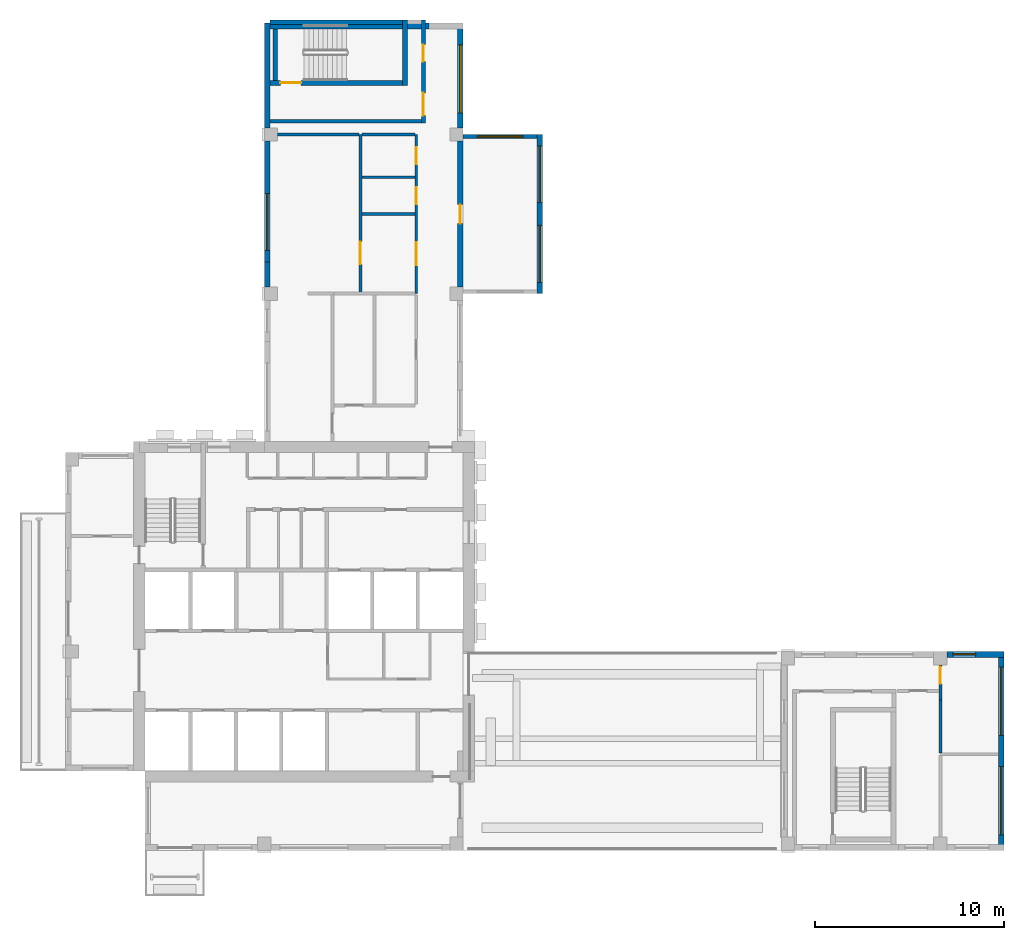
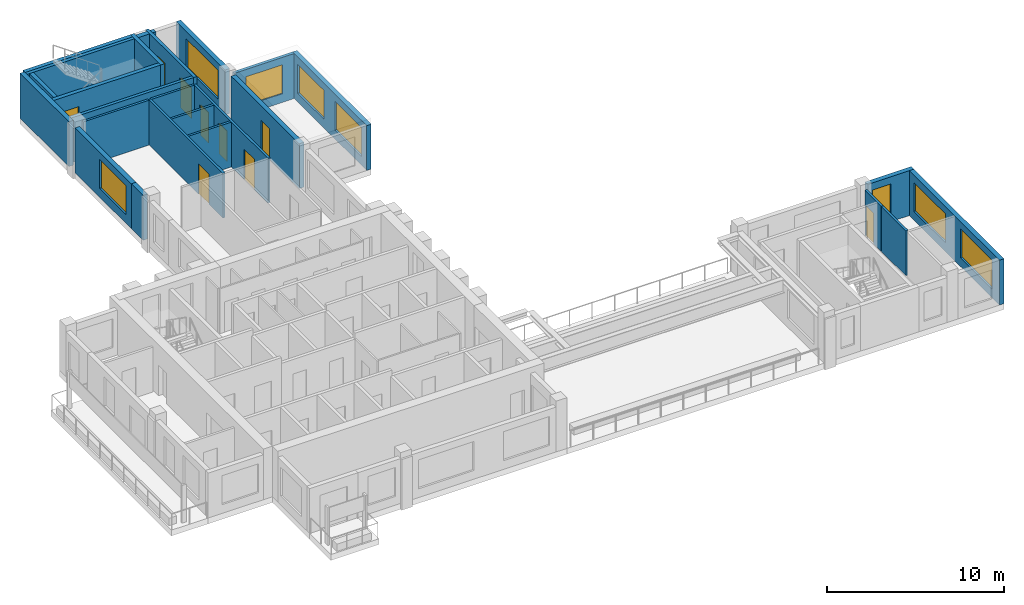
# One storey, part 5 of 10: 24 walls, 9 doors, 8 windows, 17 openings.
"""IFC4 building model written with IfcOpenShell, lengths in metres."""

from ifc_helpers import new_model, si_unit, direction, frame, frame_2d, origin, place, context, subcontext, project, spatial, rectangle, extrude, source, transform, mapped, material, layer, layer_set, type_object, element, fill, save


model = new_model("IFC4")

# Units and contexts
model_context = context("Model", 3, precision=1e-05, world=origin(), true_north=direction((0.0, 1.0)))
body_context = subcontext(model_context, "Body", "Model", "MODEL_VIEW")
ifc_project = project(units=[si_unit("LENGTHUNIT", "METRE"), si_unit("AREAUNIT", "SQUARE_METRE"), si_unit("VOLUMEUNIT", "CUBIC_METRE"), si_unit("PLANEANGLEUNIT", "RADIAN"), si_unit("MASSUNIT", "GRAM", prefix="KILO")], contexts=[model_context])

# Site, building, storey
site_placement = place(None, origin())
site = spatial("IfcSite", under=ifc_project, at=site_placement, CompositionType="ELEMENT")
building_placement = place(site_placement, origin())
building = spatial("IfcBuilding", under=site, at=building_placement, Name="Aurelian Terraces", CompositionType="ELEMENT")
storey_placement = place(building_placement, frame((0.0, 0.0, 291.5)))
storey = spatial("IfcBuildingStorey", under=building, at=storey_placement, Name="L66", CompositionType="ELEMENT", Elevation=291.5)

# Wall, openings, windows
ifc_material_1 = material(Name="Concrete fc' 40 MPa", Category="concrete")
ifc_layer_1 = layer(ifc_material_1, 0.3)
ifc_layer_set_1 = layer_set([ifc_layer_1], Name="BOX BEARING WALL 300")
wall_type_1 = type_object("IfcWallType", Name="BOX BEARING WALL 300", PredefinedType="SOLIDWALL", material=ifc_layer_set_1)
wall_1_placement = place(storey_placement, frame((25.05, 29.4, 0.0), z_axis=(0.0, 0.0, 1.0), x_axis=(0.0, 1.0, 0.0)))
wall_1 = element("IfcWall", 1, at=wall_1_placement, inside=storey, type_object=wall_type_1, Name="Box wall L66 J89", PredefinedType="SOLIDWALL", context=body_context, shape_type="SweptSolid", body=[
    extrude(rectangle(XDim=8.4, YDim=0.3, at=frame_2d((4.2, 0.0))), origin(), (0.0, 0.0, 1.0), 3.1),
])
shared_shape_1 = source(origin(), body_context, "Body", "SweptSolid", [
    extrude(rectangle(XDim=3.0, YDim=2.0, at=frame_2d((1.5, 1.0))), frame((0.0, 0.16, 0.0), z_axis=(0.0, -1.0, 0.0), x_axis=(1.0, 0.0, 0.0)), (0.0, 0.0, 1.0), 0.32),
])
opening_1_placement = place(wall_1_placement, frame((0.6, 0.0, 0.6)))
opening_1 = element("IfcOpeningElement", 2, at=opening_1_placement, cuts=wall_1, Name="Opening W3020", PredefinedType="OPENING", context=body_context, shape_type="MappedRepresentation", body=[
    mapped(shared_shape_1, transform((0.0, 0.0, 0.0), scale=1.0)),
])
opening_2_placement = place(wall_1_placement, frame((4.8, 0.0, 0.6)))
opening_2 = element("IfcOpeningElement", 3, at=opening_2_placement, cuts=wall_1, Name="Opening W3020", PredefinedType="OPENING", context=body_context, shape_type="MappedRepresentation", body=[
    mapped(shared_shape_1, transform((0.0, 0.0, 0.0), scale=1.0)),
])
ifc_material_2 = material(Name="Clear glazing", Category="glass")
window_type_1 = type_object("IfcWindowType", Name="W-3000x2000", PartitioningType="SINGLE_PANEL", PredefinedType="WINDOW", material=ifc_material_2)
shared_shape_2 = source(origin(), body_context, "Body", "SweptSolid", [
    extrude(rectangle(XDim=3.0, YDim=2.0, at=frame_2d((1.5, 1.0))), frame((0.0, 0.03, 0.0), z_axis=(0.0, -1.0, 0.0), x_axis=(1.0, 0.0, 0.0)), (0.0, 0.0, 1.0), 0.06),
])
window_1_placement = place(opening_1_placement, origin())
window_1 = element("IfcWindow", 4, at=window_1_placement, inside=storey, type_object=window_type_1, Name="Window L66 J89-F1", OverallHeight=2.0, OverallWidth=3.0, PartitioningType="SINGLE_PANEL", PredefinedType="WINDOW", context=body_context, shape_type="MappedRepresentation", body=[
    mapped(shared_shape_2, transform((0.0, 0.0, 0.0), scale=1.0)),
])
fill(opening_1, window_1)
window_2_placement = place(opening_2_placement, origin())
window_2 = element("IfcWindow", 5, at=window_2_placement, inside=storey, type_object=window_type_1, Name="Window L66 J89-F2", OverallHeight=2.0, OverallWidth=3.0, PartitioningType="SINGLE_PANEL", PredefinedType="WINDOW", context=body_context, shape_type="MappedRepresentation", body=[
    mapped(shared_shape_2, transform((0.0, 0.0, 0.0), scale=1.0)),
])
fill(opening_2, window_2)

# Wall
ifc_material_3 = material(Name="Gypsum board on steel studs", Category="steel")
ifc_layer_2 = layer(ifc_material_3, 0.15)
ifc_layer_set_2 = layer_set([ifc_layer_2], Name="Fire partition 150")
wall_type_2 = type_object("IfcWallType", Name="Fire partition 150", PredefinedType="PARTITIONING", material=ifc_layer_set_2)
wall_2_placement = place(storey_placement, frame((46.2, 5.15, 0.0), z_axis=(0.0, 0.0, 1.0), x_axis=(0.0, 1.0, 0.0)))
element("IfcWall", 6, at=wall_2_placement, inside=storey, type_object=wall_type_2, Name="Party wall", PredefinedType="PARTITIONING", context=body_context, shape_type="SweptSolid", body=[
    extrude(rectangle(XDim=2.78, YDim=0.15, at=frame_2d((1.39, 0.0))), origin(), (0.0, 0.0, 1.0), 3.1),
])

# Wall, opening, door
ifc_layer_3 = layer(ifc_material_3, 0.15)
ifc_layer_set_3 = layer_set([ifc_layer_3], Name="Partition 150")
wall_type_3 = type_object("IfcWallType", Name="Partition 150", PredefinedType="PARTITIONING", material=ifc_layer_set_3)
wall_3_placement = place(storey_placement, frame((46.2, 9.801, 0.0), z_axis=(0.0, 0.0, 1.0), x_axis=(0.0, -1.0, 0.0)))
wall_3 = element("IfcWall", 7, at=wall_3_placement, inside=storey, type_object=wall_type_3, Name="Partition", PredefinedType="PARTITIONING", context=body_context, shape_type="SweptSolid", body=[
    extrude(rectangle(XDim=1.851, YDim=0.15, at=frame_2d((0.9255, 0.0))), origin(), (0.0, 0.0, 1.0), 3.1),
])
shared_shape_3 = source(origin(), body_context, "Body", "SweptSolid", [
    extrude(rectangle(XDim=0.9, YDim=2.1, at=frame_2d((0.45, 1.05))), frame((0.0, 0.085, 0.0), z_axis=(0.0, -1.0, 0.0), x_axis=(1.0, 0.0, 0.0)), (0.0, 0.0, 1.0), 0.17),
])
opening_3_placement = place(wall_3_placement, frame((0.101, 0.0, 0.0)))
opening_3 = element("IfcOpeningElement", 8, at=opening_3_placement, cuts=wall_3, Name="Opening 766002", PredefinedType="OPENING", context=body_context, shape_type="MappedRepresentation", body=[
    mapped(shared_shape_3, transform((0.0, 0.0, 0.0), scale=1.0)),
])
ifc_material_4 = material(Name="Timber door leaf", Category="wood")
door_type_1 = type_object("IfcDoorType", Name="Room door 900x2100 left", OperationType="SINGLE_SWING_LEFT", PredefinedType="DOOR", material=ifc_material_4)
shared_shape_4 = source(origin(), body_context, "Body", "SweptSolid", [
    extrude(rectangle(XDim=0.9, YDim=2.1, at=frame_2d((0.45, 1.05))), frame((0.0, 0.025, 0.0), z_axis=(0.0, -1.0, 0.0), x_axis=(1.0, 0.0, 0.0)), (0.0, 0.0, 1.0), 0.05),
])
door_1_placement = place(opening_3_placement, origin())
door_1 = element("IfcDoor", 9, at=door_1_placement, inside=storey, type_object=door_type_1, Name="Door 766002", OperationType="SINGLE_SWING_LEFT", OverallHeight=2.1, OverallWidth=0.9, PredefinedType="DOOR", context=body_context, shape_type="MappedRepresentation", body=[
    mapped(shared_shape_4, transform((0.0, 0.0, 0.0), scale=1.0)),
])
fill(opening_3, door_1)

# Wall
wall_4_placement = place(storey_placement, frame((18.45, 33.6049, 0.0), z_axis=(0.0, 0.0, 1.0), x_axis=(-1.0, 0.0, 0.0)))
element("IfcWall", 10, at=wall_4_placement, inside=storey, type_object=wall_type_3, Name="Partition", PredefinedType="PARTITIONING", context=body_context, shape_type="SweptSolid", body=[
    extrude(rectangle(XDim=2.8, YDim=0.15, at=frame_2d((1.4, 0.0))), origin(), (0.0, 0.0, 1.0), 3.1),
])

# Wall, opening, door
ifc_material_5 = material(Name="Terracotta rainscreen cladding", Category="masonry")
ifc_layer_4 = layer(ifc_material_5, 0.3)
ifc_layer_set_4 = layer_set([ifc_layer_4], Name="EW-300")
wall_type_4 = type_object("IfcWallType", Name="EW-300", PredefinedType="STANDARD", material=ifc_layer_set_4)
shared_shape_5 = source(origin(), body_context, "Body", "SweptSolid", [
    extrude(rectangle(XDim=7.7, YDim=0.3, at=frame_2d((3.85, 0.0))), origin(), (0.0, 0.0, 1.0), 3.1),
])
wall_5_placement = place(storey_placement, frame((20.85, 29.75, 0.0), z_axis=(0.0, 0.0, 1.0), x_axis=(0.0, 1.0, 0.0)))
wall_5 = element("IfcWall", 11, at=wall_5_placement, inside=storey, type_object=wall_type_4, Name="External wall L66 F02.8", PredefinedType="STANDARD", context=body_context, shape_type="MappedRepresentation", body=[
    mapped(shared_shape_5, transform((0.0, 0.0, 0.0), scale=1.0)),
])
shared_shape_6 = source(origin(), body_context, "Body", "SweptSolid", [
    extrude(rectangle(XDim=1.0, YDim=2.1, at=frame_2d((0.5, 1.05))), frame((0.0, 0.16, 0.0), z_axis=(0.0, -1.0, 0.0), x_axis=(1.0, 0.0, 0.0)), (0.0, 0.0, 1.0), 0.32),
])
opening_4_placement = place(wall_5_placement, frame((3.35, 0.0, 0.0)))
opening_4 = element("IfcOpeningElement", 12, at=opening_4_placement, cuts=wall_5, Name="Opening 866001", PredefinedType="OPENING", context=body_context, shape_type="MappedRepresentation", body=[
    mapped(shared_shape_6, transform((0.0, 0.0, 0.0), scale=1.0)),
])
door_type_2 = type_object("IfcDoorType", Name="Room door 1000x2100 left", OperationType="SINGLE_SWING_LEFT", PredefinedType="DOOR", material=ifc_material_4)
shared_shape_7 = source(origin(), body_context, "Body", "SweptSolid", [
    extrude(rectangle(XDim=1.0, YDim=2.1, at=frame_2d((0.5, 1.05))), frame((0.0, 0.025, 0.0), z_axis=(0.0, -1.0, 0.0), x_axis=(1.0, 0.0, 0.0)), (0.0, 0.0, 1.0), 0.05),
])
door_2_placement = place(opening_4_placement, origin())
door_2 = element("IfcDoor", 13, at=door_2_placement, inside=storey, type_object=door_type_2, Name="Door 866001", OperationType="SINGLE_SWING_LEFT", OverallHeight=2.1, OverallWidth=1.0, PredefinedType="DOOR", context=body_context, shape_type="MappedRepresentation", body=[
    mapped(shared_shape_7, transform((0.0, 0.0, 0.0), scale=1.0)),
])
fill(opening_4, door_2)

# Wall, opening, window
shared_shape_8 = source(origin(), body_context, "Body", "SweptSolid", [
    extrude(rectangle(XDim=3.01, YDim=0.3, at=frame_2d((1.505, 0.0))), origin(), (0.0, 0.0, 1.0), 3.1),
])
wall_6_placement = place(storey_placement, frame((49.56, 10.35, 0.0), z_axis=(0.0, 0.0, 1.0), x_axis=(-1.0, 0.0, 0.0)))
wall_6 = element("IfcWall", 14, at=wall_6_placement, inside=storey, type_object=wall_type_4, Name="External wall L66 F15.26", PredefinedType="STANDARD", context=body_context, shape_type="MappedRepresentation", body=[
    mapped(shared_shape_8, transform((0.0, 0.0, 0.0), scale=1.0)),
])
shared_shape_9 = source(origin(), body_context, "Body", "SweptSolid", [
    extrude(rectangle(XDim=1.2, YDim=2.0, at=frame_2d((0.6, 1.0))), frame((0.0, 0.16, 0.0), z_axis=(0.0, -1.0, 0.0), x_axis=(1.0, 0.0, 0.0)), (0.0, 0.0, 1.0), 0.32),
])
opening_5_placement = place(wall_6_placement, frame((1.5, 0.0, 0.6)))
opening_5 = element("IfcOpeningElement", 15, at=opening_5_placement, cuts=wall_6, Name="Opening W1220", PredefinedType="OPENING", context=body_context, shape_type="MappedRepresentation", body=[
    mapped(shared_shape_9, transform((0.0, 0.0, 0.0), scale=1.0)),
])
window_type_2 = type_object("IfcWindowType", Name="W-1200x2000", PartitioningType="SINGLE_PANEL", PredefinedType="WINDOW", material=ifc_material_2)
shared_shape_10 = source(origin(), body_context, "Body", "SweptSolid", [
    extrude(rectangle(XDim=1.2, YDim=2.0, at=frame_2d((0.6, 1.0))), frame((0.0, 0.03, 0.0), z_axis=(0.0, -1.0, 0.0), x_axis=(1.0, 0.0, 0.0)), (0.0, 0.0, 1.0), 0.06),
])
window_3_placement = place(opening_5_placement, origin())
window_3 = element("IfcWindow", 16, at=window_3_placement, inside=storey, type_object=window_type_2, Name="Window L66 L66-F15-26-0", OverallHeight=2.0, OverallWidth=1.2, PartitioningType="SINGLE_PANEL", PredefinedType="WINDOW", context=body_context, shape_type="MappedRepresentation", body=[
    mapped(shared_shape_10, transform((0.0, 0.0, 0.0), scale=1.0)),
])
fill(opening_5, window_3)

ifc_layer_5 = layer(ifc_material_1, 0.2)
ifc_layer_set_5 = layer_set([ifc_layer_5], Name="BOX BEARING WALL 200")
wall_type_5 = type_object("IfcWallType", Name="BOX BEARING WALL 200", PredefinedType="SOLIDWALL", material=ifc_layer_set_5)
shared_shape_11 = source(origin(), body_context, "Body", "SweptSolid", [
    extrude(rectangle(XDim=3.9, YDim=0.2, at=frame_2d((1.95, 0.0))), origin(), (0.0, 0.0, 1.0), 3.1),
])
wall_7_placement = place(storey_placement, frame((21.0, 37.7, 0.0), z_axis=(0.0, 0.0, 1.0), x_axis=(1.0, 0.0, 0.0)))
wall_7 = element("IfcWall", 17, at=wall_7_placement, inside=storey, type_object=wall_type_5, Name="Box return L66 J89.2", PredefinedType="SOLIDWALL", context=body_context, shape_type="MappedRepresentation", body=[
    mapped(shared_shape_11, transform((0.0, 0.0, 0.0), scale=1.0)),
])
shared_shape_12 = source(origin(), body_context, "Body", "SweptSolid", [
    extrude(rectangle(XDim=2.4, YDim=2.0, at=frame_2d((1.2, 1.0))), frame((0.0, 0.11, 0.0), z_axis=(0.0, -1.0, 0.0), x_axis=(1.0, 0.0, 0.0)), (0.0, 0.0, 1.0), 0.22),
])
opening_6_placement = place(wall_7_placement, frame((0.75, 0.0, 0.6)))
opening_6 = element("IfcOpeningElement", 18, at=opening_6_placement, cuts=wall_7, Name="Opening W2420", PredefinedType="OPENING", context=body_context, shape_type="MappedRepresentation", body=[
    mapped(shared_shape_12, transform((0.0, 0.0, 0.0), scale=1.0)),
])
window_type_3 = type_object("IfcWindowType", Name="W-2400x2000", PartitioningType="SINGLE_PANEL", PredefinedType="WINDOW", material=ifc_material_2)
shared_shape_13 = source(origin(), body_context, "Body", "SweptSolid", [
    extrude(rectangle(XDim=2.4, YDim=2.0, at=frame_2d((1.2, 1.0))), frame((0.0, 0.03, 0.0), z_axis=(0.0, -1.0, 0.0), x_axis=(1.0, 0.0, 0.0)), (0.0, 0.0, 1.0), 0.06),
])
window_4_placement = place(opening_6_placement, origin())
window_4 = element("IfcWindow", 19, at=window_4_placement, inside=storey, type_object=window_type_3, Name="Window L66 J89-S2", OverallHeight=2.0, OverallWidth=2.4, PartitioningType="SINGLE_PANEL", PredefinedType="WINDOW", context=body_context, shape_type="MappedRepresentation", body=[
    mapped(shared_shape_13, transform((0.0, 0.0, 0.0), scale=1.0)),
])
fill(opening_6, window_4)

# Wall, openings, windows
shared_shape_14 = source(origin(), body_context, "Body", "SweptSolid", [
    extrude(rectangle(XDim=10.5, YDim=0.3, at=frame_2d((5.25, 0.0))), origin(), (0.0, 0.0, 1.0), 3.1),
])
wall_8_placement = place(storey_placement, frame((49.41, 0.0, 0.0), z_axis=(0.0, 0.0, 1.0), x_axis=(0.0, 1.0, 0.0)))
wall_8 = element("IfcWall", 20, at=wall_8_placement, inside=storey, type_object=wall_type_4, Name="External wall L66 F14.25", PredefinedType="STANDARD", context=body_context, shape_type="MappedRepresentation", body=[
    mapped(shared_shape_14, transform((0.0, 0.0, 0.0), scale=1.0)),
])
shared_shape_15 = source(origin(), body_context, "Body", "SweptSolid", [
    extrude(rectangle(XDim=3.6, YDim=2.0, at=frame_2d((1.8, 1.0))), frame((0.0, 0.16, 0.0), z_axis=(0.0, -1.0, 0.0), x_axis=(1.0, 0.0, 0.0)), (0.0, 0.0, 1.0), 0.32),
])
opening_7_placement = place(wall_8_placement, frame((0.825, 0.0, 0.6)))
opening_7 = element("IfcOpeningElement", 21, at=opening_7_placement, cuts=wall_8, Name="Opening W3620", PredefinedType="OPENING", context=body_context, shape_type="MappedRepresentation", body=[
    mapped(shared_shape_15, transform((0.0, 0.0, 0.0), scale=1.0)),
])
opening_8_placement = place(wall_8_placement, frame((6.075, 0.0, 0.6)))
opening_8 = element("IfcOpeningElement", 22, at=opening_8_placement, cuts=wall_8, Name="Opening W3620", PredefinedType="OPENING", context=body_context, shape_type="MappedRepresentation", body=[
    mapped(shared_shape_15, transform((0.0, 0.0, 0.0), scale=1.0)),
])
window_type_4 = type_object("IfcWindowType", Name="W-3600x2000", PartitioningType="SINGLE_PANEL", PredefinedType="WINDOW", material=ifc_material_2)
shared_shape_16 = source(origin(), body_context, "Body", "SweptSolid", [
    extrude(rectangle(XDim=3.6, YDim=2.0, at=frame_2d((1.8, 1.0))), frame((0.0, 0.03, 0.0), z_axis=(0.0, -1.0, 0.0), x_axis=(1.0, 0.0, 0.0)), (0.0, 0.0, 1.0), 0.06),
])
window_5_placement = place(opening_7_placement, origin())
window_5 = element("IfcWindow", 23, at=window_5_placement, inside=storey, type_object=window_type_4, Name="Window L66 L66-F14-25-0", OverallHeight=2.0, OverallWidth=3.6, PartitioningType="SINGLE_PANEL", PredefinedType="WINDOW", context=body_context, shape_type="MappedRepresentation", body=[
    mapped(shared_shape_16, transform((0.0, 0.0, 0.0), scale=1.0)),
])
fill(opening_7, window_5)
window_6_placement = place(opening_8_placement, origin())
window_6 = element("IfcWindow", 24, at=window_6_placement, inside=storey, type_object=window_type_4, Name="Window L66 L66-F14-25-1", OverallHeight=2.0, OverallWidth=3.6, PartitioningType="SINGLE_PANEL", PredefinedType="WINDOW", context=body_context, shape_type="MappedRepresentation", body=[
    mapped(shared_shape_16, transform((0.0, 0.0, 0.0), scale=1.0)),
])
fill(opening_8, window_6)

# Wall, opening, window
shared_shape_17 = source(origin(), body_context, "Body", "SweptSolid", [
    extrude(rectangle(XDim=5.53, YDim=0.3, at=frame_2d((2.765, 0.0))), origin(), (0.0, 0.0, 1.0), 3.1),
])
wall_9_placement = place(storey_placement, frame((20.85, 38.15, 0.0), z_axis=(0.0, 0.0, 1.0), x_axis=(0.0, 1.0, 0.0)))
wall_9 = element("IfcWall", 25, at=wall_9_placement, inside=storey, type_object=wall_type_4, Name="External wall L66 F02.9", PredefinedType="STANDARD", context=body_context, shape_type="MappedRepresentation", body=[
    mapped(shared_shape_17, transform((0.0, 0.0, 0.0), scale=1.0)),
])
opening_9_placement = place(wall_9_placement, frame((0.79, 0.0, 0.6)))
opening_9 = element("IfcOpeningElement", 26, at=opening_9_placement, cuts=wall_9, Name="Opening W3620", PredefinedType="OPENING", context=body_context, shape_type="MappedRepresentation", body=[
    mapped(shared_shape_15, transform((0.0, 0.0, 0.0), scale=1.0)),
])
window_7_placement = place(opening_9_placement, origin())
window_7 = element("IfcWindow", 27, at=window_7_placement, inside=storey, type_object=window_type_4, Name="Window L66 L66-F02-09-0", OverallHeight=2.0, OverallWidth=3.6, PartitioningType="SINGLE_PANEL", PredefinedType="WINDOW", context=body_context, shape_type="MappedRepresentation", body=[
    mapped(shared_shape_16, transform((0.0, 0.0, 0.0), scale=1.0)),
])
fill(opening_9, window_7)

# Walls
ifc_layer_6 = layer(ifc_material_1, 0.3)
ifc_layer_set_6 = layer_set([ifc_layer_6], Name="STAIR BAY WALL 300")
wall_type_6 = type_object("IfcWallType", Name="STAIR BAY WALL 300", PredefinedType="SOLIDWALL", material=ifc_layer_set_6)
shared_shape_18 = source(origin(), body_context, "Body", "SweptSolid", [
    extrude(rectangle(XDim=8.6, YDim=0.3, at=frame_2d((4.3, 0.0))), origin(), (0.0, 0.0, 1.0), 3.1),
])
wall_10_placement = place(storey_placement, frame((19.2, 43.53, 0.0), z_axis=(0.0, 0.0, 1.0), x_axis=(-1.0, 0.0, 0.0)))
element("IfcWall", 28, at=wall_10_placement, inside=storey, type_object=wall_type_6, Name="Stair bay wall L66 F03.10", PredefinedType="SOLIDWALL", context=body_context, shape_type="MappedRepresentation", body=[
    mapped(shared_shape_18, transform((0.0, 0.0, 0.0), scale=1.0)),
])
shared_shape_19 = source(origin(), body_context, "Body", "SweptSolid", [
    extrude(rectangle(XDim=5.53, YDim=0.3, at=frame_2d((2.765, 0.0))), origin(), (0.0, 0.0, 1.0), 3.1),
])
wall_11_placement = place(storey_placement, frame((10.65, 43.68, 0.0), z_axis=(0.0, 0.0, 1.0), x_axis=(0.0, -1.0, 0.0)))
element("IfcWall", 29, at=wall_11_placement, inside=storey, type_object=wall_type_6, Name="Stair bay wall L66 F04.11", PredefinedType="SOLIDWALL", context=body_context, shape_type="MappedRepresentation", body=[
    mapped(shared_shape_19, transform((0.0, 0.0, 0.0), scale=1.0)),
])

# Wall, opening, window
shared_shape_20 = source(origin(), body_context, "Body", "SweptSolid", [
    extrude(rectangle(XDim=6.37, YDim=0.3, at=frame_2d((3.185, 0.0))), origin(), (0.0, 0.0, 1.0), 3.1),
])
wall_12_placement = place(storey_placement, frame((10.65, 37.45, 0.0), z_axis=(0.0, 0.0, 1.0), x_axis=(0.0, -1.0, 0.0)))
wall_12 = element("IfcWall", 30, at=wall_12_placement, inside=storey, type_object=wall_type_4, Name="External wall L66 F04.11", PredefinedType="STANDARD", context=body_context, shape_type="MappedRepresentation", body=[
    mapped(shared_shape_20, transform((0.0, 0.0, 0.0), scale=1.0)),
])
opening_10_placement = place(wall_12_placement, frame((2.77, 0.0, 0.6)))
opening_10 = element("IfcOpeningElement", 31, at=opening_10_placement, cuts=wall_12, Name="Opening W3020", PredefinedType="OPENING", context=body_context, shape_type="MappedRepresentation", body=[
    mapped(shared_shape_1, transform((0.0, 0.0, 0.0), scale=1.0)),
])
window_8_placement = place(opening_10_placement, origin())
window_8 = element("IfcWindow", 32, at=window_8_placement, inside=storey, type_object=window_type_1, Name="Window L66 L66-F04-11-2", OverallHeight=2.0, OverallWidth=3.0, PartitioningType="SINGLE_PANEL", PredefinedType="WINDOW", context=body_context, shape_type="MappedRepresentation", body=[
    mapped(shared_shape_2, transform((0.0, 0.0, 0.0), scale=1.0)),
])
fill(opening_10, window_8)

# Wall
shared_shape_21 = source(origin(), body_context, "Body", "SweptSolid", [
    extrude(rectangle(XDim=1.33, YDim=0.3, at=frame_2d((0.665, 0.0))), origin(), (0.0, 0.0, 1.0), 3.1),
])
wall_13_placement = place(storey_placement, frame((10.65, 31.08, 0.0), z_axis=(0.0, 0.0, 1.0), x_axis=(0.0, -1.0, 0.0)))
element("IfcWall", 33, at=wall_13_placement, inside=storey, type_object=wall_type_4, Name="External wall L66 F04.12", PredefinedType="STANDARD", context=body_context, shape_type="MappedRepresentation", body=[
    mapped(shared_shape_21, transform((0.0, 0.0, 0.0), scale=1.0)),
])

# Wall, opening, door
ifc_layer_7 = layer(ifc_material_1, 0.25)
ifc_layer_set_7 = layer_set([ifc_layer_7], Name="Stair enclosure wall 250")
wall_type_7 = type_object("IfcWallType", Name="Stair enclosure wall 250", PredefinedType="SOLIDWALL", material=ifc_layer_set_7)
shared_shape_22 = source(origin(), body_context, "Body", "SweptSolid", [
    extrude(rectangle(XDim=7.0, YDim=0.25, at=frame_2d((3.5, 0.0))), origin(), (0.0, 0.0, 1.0), 3.1),
])
wall_14_placement = place(storey_placement, frame((10.8, 40.525, 0.0), z_axis=(0.0, 0.0, 1.0), x_axis=(1.0, 0.0, 0.0)))
wall_14 = element("IfcWall", 34, at=wall_14_placement, inside=storey, type_object=wall_type_7, Name="L66 core wall ST-S3U-W", PredefinedType="SOLIDWALL", context=body_context, shape_type="MappedRepresentation", body=[
    mapped(shared_shape_22, transform((0.0, 0.0, 0.0), scale=1.0)),
])
shared_shape_23 = source(origin(), body_context, "Body", "SweptSolid", [
    extrude(rectangle(XDim=1.1, YDim=2.1, at=frame_2d((0.55, 1.05))), frame((0.0, 0.135, 0.0), z_axis=(0.0, -1.0, 0.0), x_axis=(1.0, 0.0, 0.0)), (0.0, 0.0, 1.0), 0.27),
])
opening_11_placement = place(wall_14_placement, frame((0.55, 0.0, 0.0)))
opening_11 = element("IfcOpeningElement", 35, at=opening_11_placement, cuts=wall_14, Name="Opening 66928", PredefinedType="OPENING", context=body_context, shape_type="MappedRepresentation", body=[
    mapped(shared_shape_23, transform((0.0, 0.0, 0.0), scale=1.0)),
])
ifc_material_6 = material(Name="Steel door leaf", Category="steel")
door_type_3 = type_object("IfcDoorType", Name="Core fire door 1100x2100 right", OperationType="SINGLE_SWING_RIGHT", PredefinedType="DOOR", material=ifc_material_6)
shared_shape_24 = source(origin(), body_context, "Body", "SweptSolid", [
    extrude(rectangle(XDim=1.1, YDim=2.1, at=frame_2d((0.55, 1.05))), frame((0.0, 0.025, 0.0), z_axis=(0.0, -1.0, 0.0), x_axis=(1.0, 0.0, 0.0)), (0.0, 0.0, 1.0), 0.05),
])
door_3_placement = place(opening_11_placement, origin())
door_3 = element("IfcDoor", 36, at=door_3_placement, inside=storey, type_object=door_type_3, Name="Stair door 66928", OperationType="SINGLE_SWING_RIGHT", OverallHeight=2.1, OverallWidth=1.1, PredefinedType="DOOR", context=body_context, shape_type="MappedRepresentation", body=[
    mapped(shared_shape_24, transform((0.0, 0.0, 0.0), scale=1.0)),
])
fill(opening_11, door_3)

# Walls
wall_15_placement = place(storey_placement, frame((10.8, 43.725, 0.0), z_axis=(0.0, 0.0, 1.0), x_axis=(1.0, 0.0, 0.0)))
element("IfcWall", 37, at=wall_15_placement, inside=storey, type_object=wall_type_7, Name="L66 core wall ST-S3U-E", PredefinedType="SOLIDWALL", context=body_context, shape_type="MappedRepresentation", body=[
    mapped(shared_shape_22, transform((0.0, 0.0, 0.0), scale=1.0)),
])
shared_shape_25 = source(origin(), body_context, "Body", "SweptSolid", [
    extrude(rectangle(XDim=3.45, YDim=0.25, at=frame_2d((1.725, 0.0))), origin(), (0.0, 0.0, 1.0), 3.1),
])
wall_16_placement = place(storey_placement, frame((17.925, 40.4, 0.0), z_axis=(0.0, 0.0, 1.0), x_axis=(0.0, 1.0, 0.0)))
element("IfcWall", 38, at=wall_16_placement, inside=storey, type_object=wall_type_7, Name="L66 core wall ST-S3U-N", PredefinedType="SOLIDWALL", context=body_context, shape_type="MappedRepresentation", body=[
    mapped(shared_shape_25, transform((0.0, 0.0, 0.0), scale=1.0)),
])
ifc_layer_8 = layer(ifc_material_3, 0.2)
ifc_layer_set_8 = layer_set([ifc_layer_8], Name="Core partition 200")
wall_type_8 = type_object("IfcWallType", Name="Core partition 200", PredefinedType="PARTITIONING", material=ifc_layer_set_8)
shared_shape_26 = source(origin(), body_context, "Body", "SweptSolid", [
    extrude(rectangle(XDim=8.0, YDim=0.2, at=frame_2d((4.0, 0.0))), origin(), (0.0, 0.0, 1.0), 3.1),
])
wall_17_placement = place(storey_placement, frame((10.8, 38.5, 0.0), z_axis=(0.0, 0.0, 1.0), x_axis=(1.0, 0.0, 0.0)))
element("IfcWall", 39, at=wall_17_placement, inside=storey, type_object=wall_type_8, Name="L66 core wall ST-S3U-VW", PredefinedType="PARTITIONING", context=body_context, shape_type="MappedRepresentation", body=[
    mapped(shared_shape_26, transform((0.0, 0.0, 0.0), scale=1.0)),
])

# Wall, openings, doors
shared_shape_27 = source(origin(), body_context, "Body", "SweptSolid", [
    extrude(rectangle(XDim=5.45, YDim=0.2, at=frame_2d((2.725, 0.0))), origin(), (0.0, 0.0, 1.0), 3.1),
])
wall_18_placement = place(storey_placement, frame((18.9, 38.4, 0.0), z_axis=(0.0, 0.0, 1.0), x_axis=(0.0, 1.0, 0.0)))
wall_18 = element("IfcWall", 40, at=wall_18_placement, inside=storey, type_object=wall_type_8, Name="L66 core wall ST-S3U-BN", PredefinedType="PARTITIONING", context=body_context, shape_type="MappedRepresentation", body=[
    mapped(shared_shape_27, transform((0.0, 0.0, 0.0), scale=1.0)),
])
shared_shape_28 = source(origin(), body_context, "Body", "SweptSolid", [
    extrude(rectangle(XDim=1.2, YDim=2.1, at=frame_2d((0.6, 1.05))), frame((0.0, 0.11, 0.0), z_axis=(0.0, -1.0, 0.0), x_axis=(1.0, 0.0, 0.0)), (0.0, 0.0, 1.0), 0.22),
])
opening_12_placement = place(wall_18_placement, frame((0.4, 0.0, 0.0)))
opening_12 = element("IfcOpeningElement", 41, at=opening_12_placement, cuts=wall_18, Name="Opening 66929", PredefinedType="OPENING", context=body_context, shape_type="MappedRepresentation", body=[
    mapped(shared_shape_28, transform((0.0, 0.0, 0.0), scale=1.0)),
])
shared_shape_29 = source(origin(), body_context, "Body", "SweptSolid", [
    extrude(rectangle(XDim=0.9, YDim=2.1, at=frame_2d((0.45, 1.05))), frame((0.0, 0.11, 0.0), z_axis=(0.0, -1.0, 0.0), x_axis=(1.0, 0.0, 0.0)), (0.0, 0.0, 1.0), 0.22),
])
opening_13_placement = place(wall_18_placement, frame((3.25, 0.0, 0.0)))
opening_13 = element("IfcOpeningElement", 42, at=opening_13_placement, cuts=wall_18, Name="Opening 66930", PredefinedType="OPENING", context=body_context, shape_type="MappedRepresentation", body=[
    mapped(shared_shape_29, transform((0.0, 0.0, 0.0), scale=1.0)),
])
door_type_4 = type_object("IfcDoorType", Name="Core riser door 900x2100 right", OperationType="SINGLE_SWING_RIGHT", PredefinedType="DOOR", material=ifc_material_6)
door_4_placement = place(opening_13_placement, origin())
door_4 = element("IfcDoor", 43, at=door_4_placement, inside=storey, type_object=door_type_4, Name="Riser door 66930", OperationType="SINGLE_SWING_RIGHT", OverallHeight=2.1, OverallWidth=0.9, PredefinedType="DOOR", context=body_context, shape_type="MappedRepresentation", body=[
    mapped(shared_shape_4, transform((0.0, 0.0, 0.0), scale=1.0)),
])
fill(opening_13, door_4)
door_type_5 = type_object("IfcDoorType", Name="Core fire door 1200x2100", OperationType="SINGLE_SWING_LEFT", PredefinedType="DOOR", material=ifc_material_6)
shared_shape_30 = source(origin(), body_context, "Body", "SweptSolid", [
    extrude(rectangle(XDim=1.2, YDim=2.1, at=frame_2d((0.6, 1.05))), frame((0.0, 0.025, 0.0), z_axis=(0.0, -1.0, 0.0), x_axis=(1.0, 0.0, 0.0)), (0.0, 0.0, 1.0), 0.05),
])
door_5_placement = place(opening_12_placement, origin())
door_5 = element("IfcDoor", 44, at=door_5_placement, inside=storey, type_object=door_type_5, Name="Vestibule door 66929", OperationType="SINGLE_SWING_LEFT", OverallHeight=2.1, OverallWidth=1.2, PredefinedType="DOOR", context=body_context, shape_type="MappedRepresentation", body=[
    mapped(shared_shape_30, transform((0.0, 0.0, 0.0), scale=1.0)),
])
fill(opening_12, door_5)

# Wall
shared_shape_31 = source(origin(), body_context, "Body", "SweptSolid", [
    extrude(rectangle(XDim=2.73, YDim=0.25, at=frame_2d((1.365, 0.0))), origin(), (0.0, 0.0, 1.0), 3.1),
])
wall_19_placement = place(storey_placement, frame((11.075, 40.65, 0.0), z_axis=(0.0, 0.0, 1.0), x_axis=(0.0, 1.0, 0.0)))
element("IfcWall", 45, at=wall_19_placement, inside=storey, type_object=wall_type_7, Name="L66 core wall ST-S3U-SS", PredefinedType="SOLIDWALL", context=body_context, shape_type="MappedRepresentation", body=[
    mapped(shared_shape_31, transform((0.0, 0.0, 0.0), scale=1.0)),
])

# Wall, opening, door
shared_shape_32 = source(origin(), body_context, "Body", "SweptSolid", [
    extrude(rectangle(XDim=8.4, YDim=0.15, at=frame_2d((4.2, 0.0))), origin(), (0.0, 0.0, 1.0), 3.1),
])
wall_20_placement = place(storey_placement, frame((15.575, 29.4, 0.0), z_axis=(0.0, 0.0, 1.0), x_axis=(0.0, 1.0, 0.0)))
wall_20 = element("IfcWall", 46, at=wall_20_placement, inside=storey, type_object=wall_type_3, Name="Partition", PredefinedType="PARTITIONING", context=body_context, shape_type="MappedRepresentation", body=[
    mapped(shared_shape_32, transform((0.0, 0.0, 0.0), scale=1.0)),
])
shared_shape_33 = source(origin(), body_context, "Body", "SweptSolid", [
    extrude(rectangle(XDim=1.2, YDim=2.1, at=frame_2d((0.6, 1.05))), frame((0.0, 0.085, 0.0), z_axis=(0.0, -1.0, 0.0), x_axis=(1.0, 0.0, 0.0)), (0.0, 0.0, 1.0), 0.17),
])
opening_14_placement = place(wall_20_placement, frame((1.5524, 0.0, 0.0)))
opening_14 = element("IfcOpeningElement", 47, at=opening_14_placement, cuts=wall_20, Name="Opening 766009", PredefinedType="OPENING", context=body_context, shape_type="MappedRepresentation", body=[
    mapped(shared_shape_33, transform((0.0, 0.0, 0.0), scale=1.0)),
])
door_type_6 = type_object("IfcDoorType", Name="Room door 1200x2100 right", OperationType="SINGLE_SWING_RIGHT", PredefinedType="DOOR", material=ifc_material_4)
door_6_placement = place(opening_14_placement, origin())
door_6 = element("IfcDoor", 48, at=door_6_placement, inside=storey, type_object=door_type_6, Name="Door 766009", OperationType="SINGLE_SWING_RIGHT", OverallHeight=2.1, OverallWidth=1.2, PredefinedType="DOOR", context=body_context, shape_type="MappedRepresentation", body=[
    mapped(shared_shape_30, transform((0.0, 0.0, 0.0), scale=1.0)),
])
fill(opening_14, door_6)

# Wall, openings, doors
wall_21_placement = place(storey_placement, frame((18.525, 29.4, 0.0), z_axis=(0.0, 0.0, 1.0), x_axis=(0.0, 1.0, 0.0)))
wall_21 = element("IfcWall", 49, at=wall_21_placement, inside=storey, type_object=wall_type_2, Name="Corridor wall", PredefinedType="PARTITIONING", context=body_context, shape_type="MappedRepresentation", body=[
    mapped(shared_shape_32, transform((0.0, 0.0, 0.0), scale=1.0)),
])
opening_15_placement = place(wall_21_placement, frame((1.5024, 0.0, 0.0)))
opening_15 = element("IfcOpeningElement", 50, at=opening_15_placement, cuts=wall_21, Name="Opening 766008", PredefinedType="OPENING", context=body_context, shape_type="MappedRepresentation", body=[
    mapped(shared_shape_33, transform((0.0, 0.0, 0.0), scale=1.0)),
])
opening_16_placement = place(wall_21_placement, frame((4.7266, 0.0, 0.0)))
opening_16 = element("IfcOpeningElement", 51, at=opening_16_placement, cuts=wall_21, Name="Opening 766010", PredefinedType="OPENING", context=body_context, shape_type="MappedRepresentation", body=[
    mapped(shared_shape_3, transform((0.0, 0.0, 0.0), scale=1.0)),
])
opening_17_placement = place(wall_21_placement, frame((6.8242, 0.0, 0.0)))
opening_17 = element("IfcOpeningElement", 52, at=opening_17_placement, cuts=wall_21, Name="Opening 766011", PredefinedType="OPENING", context=body_context, shape_type="MappedRepresentation", body=[
    mapped(shared_shape_3, transform((0.0, 0.0, 0.0), scale=1.0)),
])
door_type_7 = type_object("IfcDoorType", Name="Entrance fire door 900x2100 left", OperationType="SINGLE_SWING_LEFT", PredefinedType="DOOR", material=ifc_material_6)
door_7_placement = place(opening_16_placement, origin())
door_7 = element("IfcDoor", 53, at=door_7_placement, inside=storey, type_object=door_type_7, Name="Door 766010", OperationType="SINGLE_SWING_LEFT", OverallHeight=2.1, OverallWidth=0.9, PredefinedType="DOOR", context=body_context, shape_type="MappedRepresentation", body=[
    mapped(shared_shape_4, transform((0.0, 0.0, 0.0), scale=1.0)),
])
fill(opening_16, door_7)
door_type_8 = type_object("IfcDoorType", Name="Entrance fire door 900x2100 right", OperationType="SINGLE_SWING_RIGHT", PredefinedType="DOOR", material=ifc_material_6)
door_8_placement = place(opening_17_placement, origin())
door_8 = element("IfcDoor", 54, at=door_8_placement, inside=storey, type_object=door_type_8, Name="Door 766011", OperationType="SINGLE_SWING_RIGHT", OverallHeight=2.1, OverallWidth=0.9, PredefinedType="DOOR", context=body_context, shape_type="MappedRepresentation", body=[
    mapped(shared_shape_4, transform((0.0, 0.0, 0.0), scale=1.0)),
])
fill(opening_17, door_8)
door_type_9 = type_object("IfcDoorType", Name="Entrance fire door 1200x2100 left", OperationType="SINGLE_SWING_LEFT", PredefinedType="DOOR", material=ifc_material_6)
door_9_placement = place(opening_15_placement, origin())
door_9 = element("IfcDoor", 55, at=door_9_placement, inside=storey, type_object=door_type_9, Name="Door 766008", OperationType="SINGLE_SWING_LEFT", OverallHeight=2.1, OverallWidth=1.2, PredefinedType="DOOR", context=body_context, shape_type="MappedRepresentation", body=[
    mapped(shared_shape_30, transform((0.0, 0.0, 0.0), scale=1.0)),
])
fill(opening_15, door_9)

# Walls
shared_shape_34 = source(origin(), body_context, "Body", "SweptSolid", [
    extrude(rectangle(XDim=2.8, YDim=0.15, at=frame_2d((1.4, 0.0))), origin(), (0.0, 0.0, 1.0), 3.1),
])
wall_22_placement = place(storey_placement, frame((18.45, 35.5483, 0.0), z_axis=(0.0, 0.0, 1.0), x_axis=(-1.0, 0.0, 0.0)))
element("IfcWall", 56, at=wall_22_placement, inside=storey, type_object=wall_type_3, Name="Partition", PredefinedType="PARTITIONING", context=body_context, shape_type="MappedRepresentation", body=[
    mapped(shared_shape_34, transform((0.0, 0.0, 0.0), scale=1.0)),
])
wall_23_placement = place(storey_placement, frame((18.45, 37.8, 0.0), z_axis=(0.0, 0.0, 1.0), x_axis=(-1.0, 0.0, 0.0)))
element("IfcWall", 57, at=wall_23_placement, inside=storey, type_object=wall_type_2, Name="Party wall", PredefinedType="PARTITIONING", context=body_context, shape_type="MappedRepresentation", body=[
    mapped(shared_shape_34, transform((0.0, 0.0, 0.0), scale=1.0)),
])
shared_shape_35 = source(origin(), body_context, "Body", "SweptSolid", [
    extrude(rectangle(XDim=4.301, YDim=0.15, at=frame_2d((2.1505, 0.0))), origin(), (0.0, 0.0, 1.0), 3.1),
])
wall_24_placement = place(storey_placement, frame((15.5, 37.8, 0.0), z_axis=(0.0, 0.0, 1.0), x_axis=(-1.0, 0.0, 0.0)))
element("IfcWall", 58, at=wall_24_placement, inside=storey, type_object=wall_type_2, Name="Party wall", PredefinedType="PARTITIONING", context=body_context, shape_type="MappedRepresentation", body=[
    mapped(shared_shape_35, transform((0.0, 0.0, 0.0), scale=1.0)),
])

save(model, "model.ifc")
